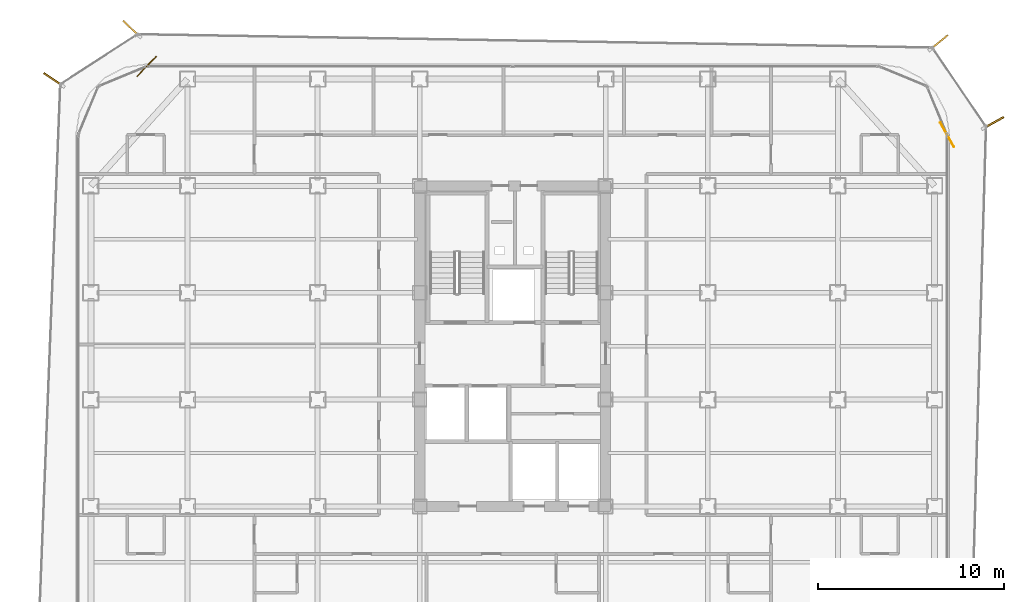
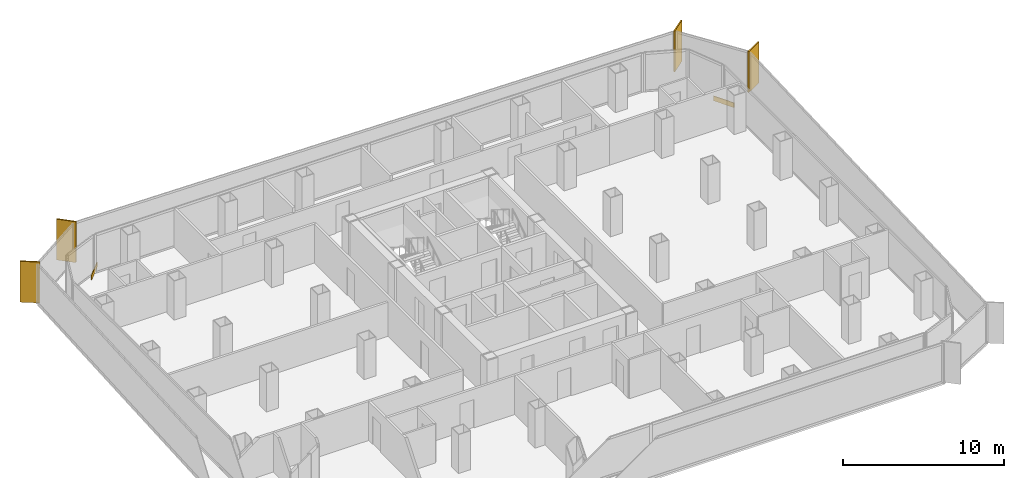
# One storey, part 21 of 21: 4 shading devices, 2 coverings.
"""IFC4 building model written with IfcOpenShell, lengths in metres."""

from ifc_helpers import new_model, si_unit, direction, frame, origin, origin_2d, place, context, subcontext, project, spatial, rectangle, extrude, source, transform, mapped, material, layer, layer_set, type_object, element, save


model = new_model("IFC4")

# Units and contexts
model_context = context("Model", 3, precision=1e-05, world=origin(), true_north=direction((0.0, 1.0)))
body_context = subcontext(model_context, "Body", "Model", "MODEL_VIEW")
ifc_project = project(units=[si_unit("LENGTHUNIT", "METRE"), si_unit("AREAUNIT", "SQUARE_METRE"), si_unit("VOLUMEUNIT", "CUBIC_METRE"), si_unit("PLANEANGLEUNIT", "RADIAN"), si_unit("MASSUNIT", "GRAM", prefix="KILO")], contexts=[model_context])

# Site, building, storey
site_placement = place(None, origin())
site = spatial("IfcSite", under=ifc_project, at=site_placement, CompositionType="ELEMENT")
building_placement = place(site_placement, origin())
building = spatial("IfcBuilding", under=site, at=building_placement, Name="Kolveth Station Tower", CompositionType="ELEMENT")
storey_placement = place(building_placement, frame((0.0, 0.0, 124.699951171875)))
storey = spatial("IfcBuildingStorey", under=building, at=storey_placement, Name="L34", CompositionType="ELEMENT", Elevation=124.699951171875)

# Shading devices
ifc_material_1 = material(Name="Black anodized aluminium 6063-T6", Category="aluminium")
shading_device_type = type_object("IfcShadingDeviceType", Name="FIN_VF1", PredefinedType="USERDEFINED", material=ifc_material_1)
shared_shape_1 = source(origin(), body_context, "Body", "SweptSolid", [
    extrude(rectangle(XDim=1.25, YDim=0.090087890625, at=origin_2d()), origin(), (0.0, 0.0, 1.0), 3.10009765625),
])
for number, where, z_axis, x_axis, name in (
    (1, (49.37109375, 32.14892578125, 0.0), (0.0, 0.0, 1.0), (0.872325392932, 0.488925770283, 0.0), "L34 Dark-Aluminium Solar Fin 3"),
    (2, (46.43701171875, 36.472900390625, 0.0), (0.0, 0.0, 1.0), (0.773065811677, 0.63432582386, 0.0), "L34 Dark-Aluminium Solar Fin 4"),
    (3, (2.97802734375, 37.214111328125, 0.0), (0.0, 0.0, 1.0), (-0.723810678237, 0.689998624687, 0.0), "L34 Dark-Aluminium Solar Fin 5"),
    (4, (-1.212890625, 34.470947265625, 0.0), (0.0, 0.0, 1.0), (-0.826687964527, 0.562660651997, 0.0), "L34 Dark-Aluminium Solar Fin 6"),
):
    element("IfcShadingDevice", number, at=place(storey_placement, frame(where, z_axis=z_axis, x_axis=x_axis)), inside=storey, type_object=shading_device_type, Name=name, ObjectType="FIN", PredefinedType="USERDEFINED", context=body_context, shape_type="MappedRepresentation", body=[
        mapped(shared_shape_1, transform((0.0, 0.0, 0.0), x_axis=(1.0, 0.0, 0.0), y_axis=(0.0, 1.0, 0.0), z_axis=(0.0, 0.0, 1.0), scale=1.0)),
    ])

# Coverings
ifc_material_2 = material(Name="Charcoal anodized aluminium spandrel cladding", Category="aluminium")
ifc_layer = layer(ifc_material_2, 0.044921875)
ifc_layer_set = layer_set([ifc_layer], Name="Charcoal anodized aluminium spandrel cladding")
covering_type = type_object("IfcCoveringType", Name="Clad_CD1", PredefinedType="CLADDING", material=ifc_layer_set)
shared_shape_2 = source(origin(), body_context, "Body", "SweptSolid", [
    extrude(rectangle(XDim=1.5, YDim=0.044921875, at=origin_2d()), origin(), (0.0, 0.0, 1.0), 0.360107421875),
])
for number, where, z_axis, x_axis, name in (
    (5, (46.8798828125, 31.5, 0.0), (0.0, 0.0, 1.0), (-0.488925770283, 0.872325392932, 0.0), "L34 Spandrel Edge Cladding 3"),
    (6, (3.800048828125, 35.179931640625, 0.0), (0.0, 0.0, 1.0), (-0.689998624687, -0.723810678237, 0.0), "L34 Spandrel Edge Cladding 5"),
):
    element("IfcCovering", number, at=place(storey_placement, frame(where, z_axis=z_axis, x_axis=x_axis)), inside=storey, type_object=covering_type, Name=name, PredefinedType="CLADDING", context=body_context, shape_type="MappedRepresentation", body=[
        mapped(shared_shape_2, transform((0.0, 0.0, 0.0), x_axis=(1.0, 0.0, 0.0), y_axis=(0.0, 1.0, 0.0), z_axis=(0.0, 0.0, 1.0), scale=1.0)),
    ])

save(model, "model.ifc")
